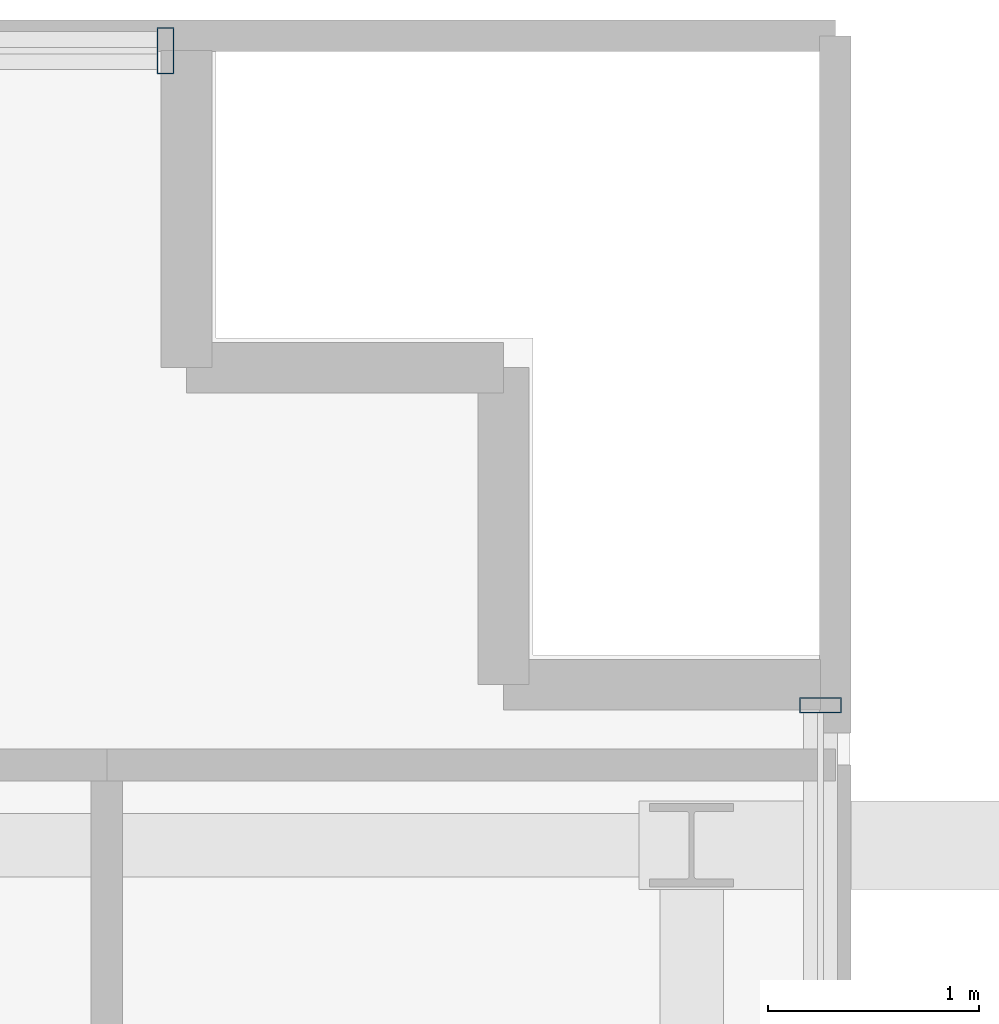
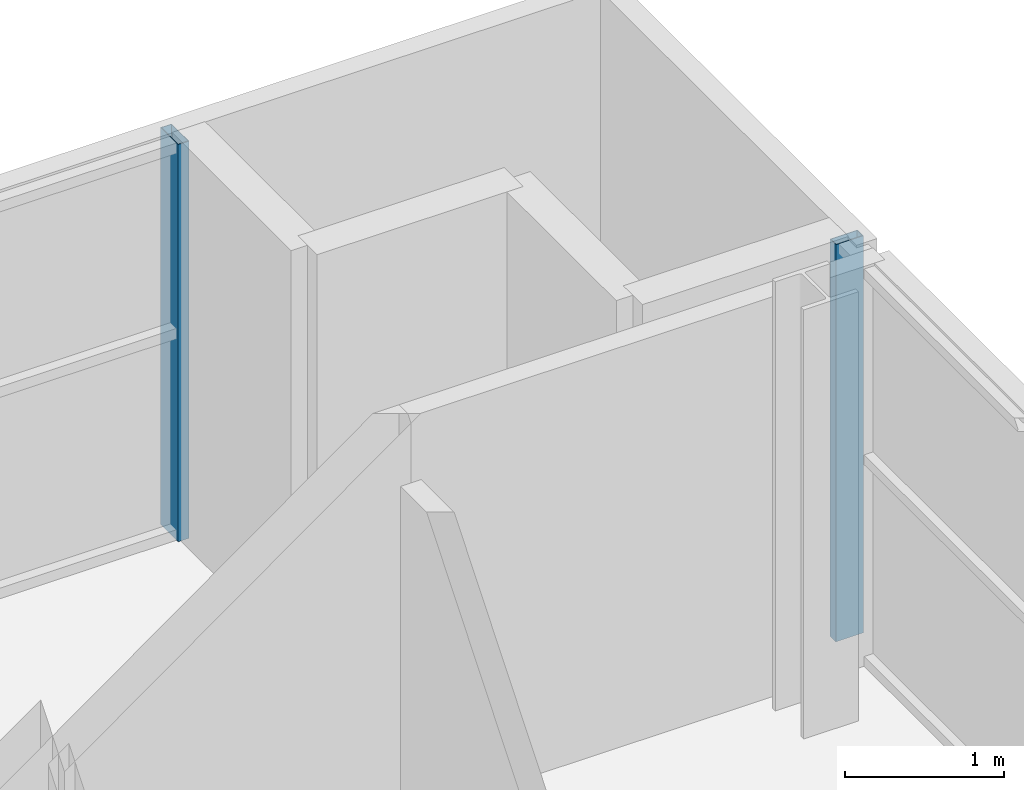
# One storey, part 14 of 23: 2 members, 2 elements without a shape of their own.
"""IFC4 building model written with IfcOpenShell, lengths in metres."""

from ifc_helpers import new_model, si_unit, direction, frame, origin, origin_2d, place, context, subcontext, project, spatial, hollow_rectangle, extrude, source, transform, mapped, material, layer, layer_set, material_profile, profile_set, type_object, element, aggregate, save


model = new_model("IFC4")

# Units and contexts
model_context = context("Model", 3, precision=1e-05, world=origin(), true_north=direction((0.0, 1.0)))
body_context = subcontext(model_context, "Body", "Model", "MODEL_VIEW")
ifc_project = project(units=[si_unit("LENGTHUNIT", "METRE"), si_unit("AREAUNIT", "SQUARE_METRE"), si_unit("VOLUMEUNIT", "CUBIC_METRE"), si_unit("PLANEANGLEUNIT", "RADIAN"), si_unit("MASSUNIT", "GRAM", prefix="KILO")], contexts=[model_context])

# Site, building, storey
site_placement = place(None, origin())
site = spatial("IfcSite", under=ifc_project, at=site_placement, CompositionType="ELEMENT")
building_placement = place(site_placement, origin())
building = spatial("IfcBuilding", under=site, at=building_placement, Name="Zarnakvel Exchange Tower", CompositionType="ELEMENT")
storey_placement = place(building_placement, frame((0.0, 0.0, 146.199951171875)))
storey = spatial("IfcBuildingStorey", under=building, at=storey_placement, Name="L40", CompositionType="ELEMENT", Elevation=146.199951171875)

# Curtain wall, member
ifc_material = material(Name="Architectural Bronze Anodised Aluminium", Category="aluminium")
ifc_layer_1 = layer(ifc_material, 0.199951171875)
ifc_layer_set_1 = layer_set([ifc_layer_1], Name="Architectural Bronze Anodised Aluminium")
curtain_wall_type_1 = type_object("IfcCurtainWallType", Name="CW-04", PredefinedType="NOTDEFINED", material=ifc_layer_set_1)
curtain_wall_1_placement = place(storey_placement, origin())
curtain_wall_1 = element("IfcCurtainWall", 1, at=curtain_wall_1_placement, inside=storey, type_object=curtain_wall_type_1, Name="L40 Curtain Wall CW-L40-E1 (CW-04)", PredefinedType="NOTDEFINED")
ifc_material_profile_1 = material_profile(ifc_material, hollow_rectangle(XDim=0.199951171875, YDim=0.074951171875, WallThickness=0.0048828125, at=origin_2d()))
ifc_profile_set_1 = profile_set([ifc_material_profile_1], Name="Architectural Bronze Anodised Aluminium")
member_type_1 = type_object("IfcMemberType", Name="CWM-04", PredefinedType="MULLION", material=ifc_profile_set_1)
shared_shape_1 = source(origin(), body_context, "Body", "SweptSolid", [
    extrude(hollow_rectangle(XDim=0.199951171875, YDim=0.074951171875, WallThickness=0.0048828125, at=origin_2d()), origin(), (0.0, 0.0, 1.0), 3.054931640625),
])
member_1_placement = place(storey_placement, frame((22.4599609375, 14.16259765625, 0.0), z_axis=(0.0, 0.0, 1.0), x_axis=(-1.0, 0.0, 0.0)))
member_1 = element("IfcMember", 2, at=member_1_placement, type_object=member_type_1, Name="CW-04 mullion 5", PredefinedType="MULLION", context=body_context, shape_type="MappedRepresentation", body=[
    mapped(shared_shape_1, transform((0.0, 0.0, 0.0), x_axis=(1.0, 0.0, 0.0), y_axis=(0.0, 1.0, 0.0), z_axis=(0.0, 0.0, 1.0), scale=1.0)),
])
aggregate(curtain_wall_1, [member_1])

ifc_layer_2 = layer(ifc_material, 0.219970703125)
ifc_layer_set_2 = layer_set([ifc_layer_2], Name="Architectural Bronze Anodised Aluminium")
curtain_wall_type_2 = type_object("IfcCurtainWallType", Name="CW-03", PredefinedType="NOTDEFINED", material=ifc_layer_set_2)
curtain_wall_2_placement = place(storey_placement, origin())
curtain_wall_2 = element("IfcCurtainWall", 3, at=curtain_wall_2_placement, inside=storey, type_object=curtain_wall_type_2, Name="L40 Curtain Wall CW-L40-N1 (CW-03)", PredefinedType="NOTDEFINED")
ifc_material_profile_2 = material_profile(ifc_material, hollow_rectangle(XDim=0.219970703125, YDim=0.080078125, WallThickness=0.0048828125, at=origin_2d()))
ifc_profile_set_2 = profile_set([ifc_material_profile_2], Name="Architectural Bronze Anodised Aluminium")
member_type_2 = type_object("IfcMemberType", Name="CWM-03", PredefinedType="MULLION", material=ifc_profile_set_2)
shared_shape_2 = source(origin(), body_context, "Body", "SweptSolid", [
    extrude(hollow_rectangle(XDim=0.219970703125, YDim=0.080078125, WallThickness=0.0048828125, at=origin_2d()), origin(), (0.0, 0.0, 1.0), 3.054931640625),
])
member_2_placement = place(storey_placement, frame((19.360107421875, 17.260009765625, 0.0), z_axis=(0.0, 0.0, 1.0), x_axis=(0.0, 1.0, 0.0)))
member_2 = element("IfcMember", 4, at=member_2_placement, type_object=member_type_2, Name="CW-03 mullion 7", PredefinedType="MULLION", context=body_context, shape_type="MappedRepresentation", body=[
    mapped(shared_shape_2, transform((0.0, 0.0, 0.0), x_axis=(1.0, 0.0, 0.0), y_axis=(0.0, 1.0, 0.0), z_axis=(0.0, 0.0, 1.0), scale=1.0)),
])
aggregate(curtain_wall_2, [member_2])

save(model, "model.ifc")
